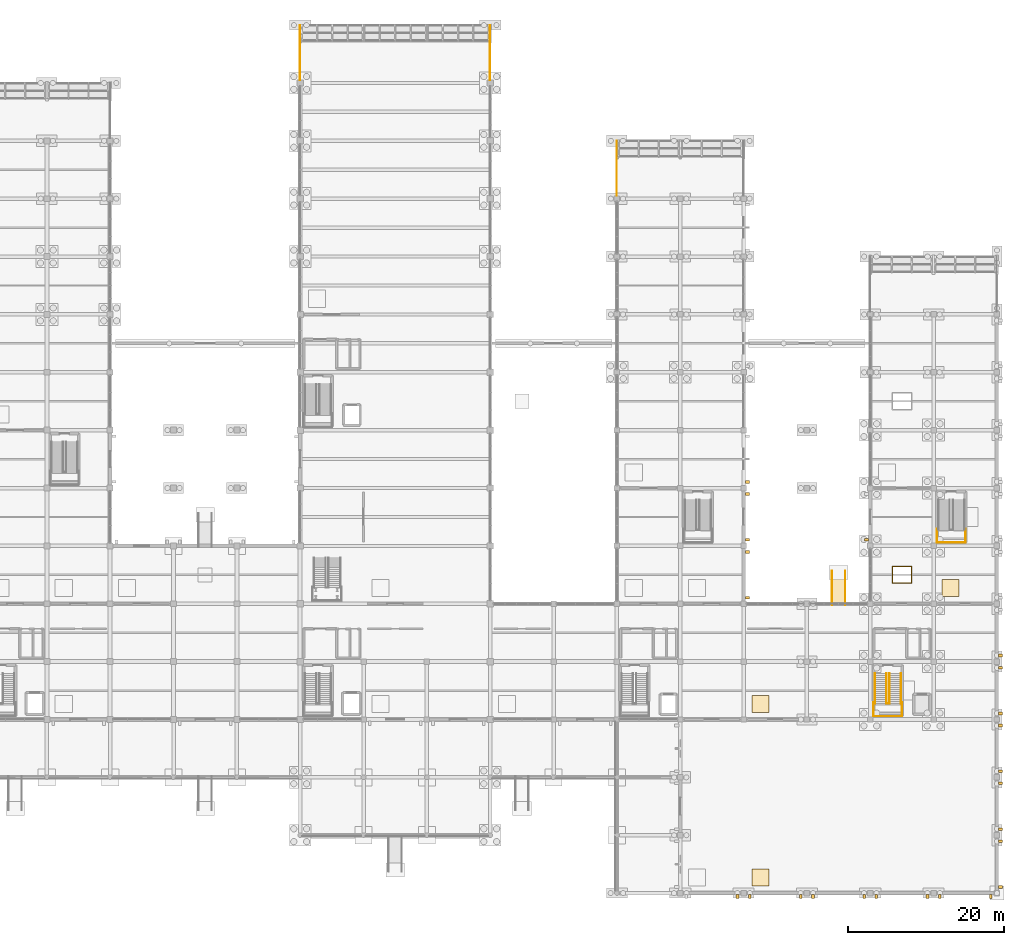
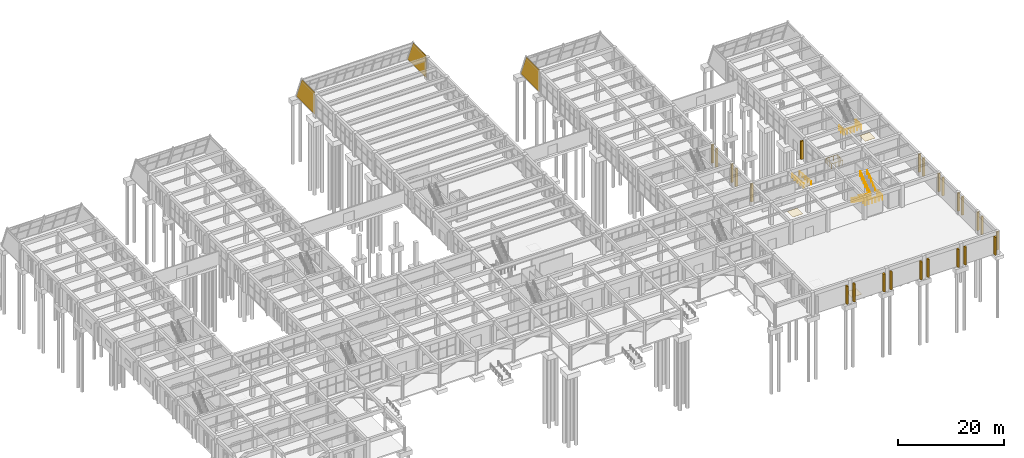
# One storey, part 138 of 140: 24 shading devices, 8 railings, 7 coverings.
"""IFC4 building model written with IfcOpenShell, lengths in metres."""

from ifc_helpers import new_model, si_unit, direction, frame, origin, origin_2d, place, context, subcontext, project, spatial, polyline, rectangle, circle, outline, extrude, material, layer, layer_set, type_object, element, save


model = new_model("IFC4")

# Units and contexts
model_context = context("Model", 3, precision=1e-05, world=origin(), true_north=direction((0.0, 1.0)))
body_context = subcontext(model_context, "Body", "Model", "MODEL_VIEW")
ifc_project = project(units=[si_unit("LENGTHUNIT", "METRE"), si_unit("AREAUNIT", "SQUARE_METRE"), si_unit("VOLUMEUNIT", "CUBIC_METRE"), si_unit("PLANEANGLEUNIT", "RADIAN"), si_unit("MASSUNIT", "GRAM", prefix="KILO")], contexts=[model_context])

# Site, building, storey
site_placement = place(None, origin())
site = spatial("IfcSite", under=ifc_project, at=site_placement, CompositionType="ELEMENT")
building_placement = place(site_placement, origin())
building = spatial("IfcBuilding", under=site, at=building_placement, Name="Cimatlan Art Gallery", CompositionType="ELEMENT")
storey_placement = place(building_placement, origin())
storey = spatial("IfcBuildingStorey", under=building, at=storey_placement, Name="L00", CompositionType="ELEMENT", Elevation=0.0)

# Coverings
ifc_material_1 = material(Name="Micro-perforated acoustic gypsum ceiling")
ifc_layer_1 = layer(ifc_material_1, 0.030029296875)
ifc_layer_set_1 = layer_set([ifc_layer_1], Name="Micro-perforated acoustic gypsum ceiling")
covering_type_1 = type_object("IfcCoveringType", Name="COV-CEIL-ACOUSTIC-30", PredefinedType="CEILING", material=ifc_layer_set_1)
for number, where, z_axis, x_axis, name in (
    (1, (133.75, 25.89990234375, 5.10498046875), (0.0, 0.0, 1.0), (1.0, 0.0, 0.0), "CLG-L00-LRN-02"),
    (2, (158.050048828125, 40.699951171875, 5.10498046875), (0.0, 0.0, 1.0), (1.0, 0.0, 0.0), "CLG-L00-STD-01B"),
):
    element("IfcCovering", number, at=place(storey_placement, frame(where, z_axis=z_axis, x_axis=x_axis)), inside=storey, type_object=covering_type_1, Name=name, PredefinedType="CEILING", context=body_context, shape_type="SweptSolid", body=[
        extrude(rectangle(XDim=2.199951171875, YDim=2.199951171875, at=origin_2d()), origin(), (0.0, 0.0, 1.0), 0.030029296875),
    ])
ifc_material_2 = material(Name="Queretaro cantera limestone ashlar hood-mould", Category="masonry")
ifc_layer_2 = layer(ifc_material_2, 0.0419921875)
ifc_layer_set_2 = layer_set([ifc_layer_2], Name="Queretaro cantera limestone ashlar hood-mould")
covering_type_2 = type_object("IfcCoveringType", Name="COV-CLAD-CANTERA-42", PredefinedType="CLADDING", material=ifc_layer_set_2)
for number, where, z_axis, x_axis, name in (
    (3, (74.89990234375, 105.64990234375, 0.0), (1.0, 0.0, 0.0), (0.0, 1.0, 0.0), "CLD-PRW-L00-B3-W"),
    (4, (99.199951171875, 105.64990234375, 0.0), (1.0, 0.0, 0.0), (0.0, 1.0, 0.0), "CLD-PRW-L00-B3-E"),
):
    element("IfcCovering", number, at=place(storey_placement, frame(where, z_axis=z_axis, x_axis=x_axis)), inside=storey, type_object=covering_type_2, Name=name, PredefinedType="CLADDING", context=body_context, shape_type="SweptSolid", body=[
        extrude(outline(polyline([(0.0, 0.0), (7.050048828125, 0.0), (4.923095703125, 5.135009765625), (0.0, 5.135009765625), (0.0, 0.0)])), origin(), (0.0, 0.0, -1.0), 0.0419921875),
    ])
covering_1_placement = place(storey_placement, frame((115.39990234375, 90.85009765625, 0.0), z_axis=(1.0, 0.0, 0.0), x_axis=(0.0, 1.0, 0.0)))
element("IfcCovering", 5, at=covering_1_placement, inside=storey, type_object=covering_type_2, Name="CLD-PRW-L00-B4-W", PredefinedType="CLADDING", context=body_context, shape_type="SweptSolid", body=[
    extrude(outline(polyline([(0.0, 0.0), (7.0498046875, 0.0), (4.9228515625, 5.135009765625), (0.0, 5.135009765625), (0.0, 0.0)])), origin(), (0.0, 0.0, -1.0), 0.0419921875),
])
covering_2_placement = place(storey_placement, frame((142.85009765625, 42.8798828125, -0.360107421875), z_axis=(0.0, 0.083073446101, 0.996543427329), x_axis=(0.0, -0.996543427329, 0.083073446101)))
element("IfcCovering", 6, at=covering_2_placement, inside=storey, type_object=covering_type_2, Name="COV-RMP-06-FL1", PredefinedType="CLADDING", context=body_context, shape_type="SweptSolid", body=[
    extrude(outline(polyline([(0.0, 0.0), (4.334807796914242, 0.0), (4.334807796914242, 1.7998046875), (0.0, 1.7998046875), (0.0, 0.0)])), origin(), (0.0, 0.0, -1.0), 0.02490234375),
])
ifc_material_3 = material(Name="Honed Queretaro limestone terrazzo flooring", Category="masonry")
ifc_layer_3 = layer(ifc_material_3, 0.02001953125)
ifc_layer_set_3 = layer_set([ifc_layer_3], Name="Honed Queretaro limestone terrazzo flooring")
covering_type_3 = type_object("IfcCoveringType", Name="COV-FLR-TERRAZZO-20", PredefinedType="FLOORING", material=ifc_layer_set_3)
covering_3_placement = place(storey_placement, frame((133.75, 3.699951171875, 0.0), z_axis=(0.0, 0.0, 1.0), x_axis=(1.0, 0.0, 0.0)))
element("IfcCovering", 7, at=covering_3_placement, inside=storey, type_object=covering_type_3, Name="FLR-L00-AUD-HAL", PredefinedType="FLOORING", context=body_context, shape_type="SweptSolid", body=[
    extrude(rectangle(XDim=2.199951171875, YDim=2.199951171875, at=origin_2d()), origin(), (0.0, 0.0, 1.0), 0.02001953125),
])

# Railings
ifc_material_4 = material(Name="Painted steel and bronze interior balustrade", Category="steel")
railing_type_1 = type_object("IfcRailingType", Name="RL-BAL-INT-1120", PredefinedType="BALUSTRADE", material=ifc_material_4)
railing_1_placement = place(storey_placement, frame((148.2099609375, 26.06494140625, 2.699951171875)))
element("IfcRailing", 8, at=railing_1_placement, inside=storey, type_object=railing_type_1, Name="STR-C5-L00-LGRD", PredefinedType="BALUSTRADE", context=body_context, shape_type="SweptSolid", body=[
    extrude(circle(Radius=0.02392578125, at=origin_2d()), frame((0.0, 0.0, 1.09619140625), z_axis=(0.0, -1.0, 0.0), x_axis=(1.0, 0.0, 0.0)), (0.0, 0.0, 1.0), 1.7548828125),
    extrude(circle(Radius=0.02392578125, at=origin_2d()), frame((0.0, -1.7548828125, 1.09619140625), z_axis=(1.0, 0.0, 0.0), x_axis=(0.0, 1.0, 0.0)), (0.0, 0.0, 1.0), 3.669921875),
    extrude(circle(Radius=0.02392578125, at=origin_2d()), frame((3.669921875, -1.7548828125, 1.09619140625), z_axis=(0.0, 1.0, 0.0), x_axis=(-1.0, 0.0, 0.0)), (0.0, 0.0, 1.0), 1.7548828125),
    extrude(circle(Radius=0.02001953125, at=origin_2d()), origin(), (0.0, 0.0, 1.0), 1.072021484375),
    extrude(circle(Radius=0.02001953125, at=origin_2d()), frame((0.0, -0.87744140625, 0.0)), (0.0, 0.0, 1.0), 1.072021484375),
    extrude(circle(Radius=0.02001953125, at=origin_2d()), frame((0.0, -1.7548828125, 0.0)), (0.0, 0.0, 1.0), 1.072021484375),
    extrude(circle(Radius=0.02001953125, at=origin_2d()), frame((0.73388671875, -1.7548828125, 0.0)), (0.0, 0.0, 1.0), 1.072021484375),
    extrude(circle(Radius=0.02001953125, at=origin_2d()), frame((1.468017578125, -1.7548828125, 0.0)), (0.0, 0.0, 1.0), 1.072021484375),
    extrude(circle(Radius=0.02001953125, at=origin_2d()), frame((2.201904296875, -1.7548828125, 0.0)), (0.0, 0.0, 1.0), 1.072021484375),
    extrude(circle(Radius=0.02001953125, at=origin_2d()), frame((2.93603515625, -1.7548828125, 0.0)), (0.0, 0.0, 1.0), 1.072021484375),
    extrude(circle(Radius=0.02001953125, at=origin_2d()), frame((3.669921875, -1.7548828125, 0.0)), (0.0, 0.0, 1.0), 1.072021484375),
    extrude(circle(Radius=0.02001953125, at=origin_2d()), frame((3.669921875, -0.87744140625, 0.0)), (0.0, 0.0, 1.0), 1.072021484375),
    extrude(circle(Radius=0.02001953125, at=origin_2d()), frame((3.669921875, 0.0, 0.0)), (0.0, 0.0, 1.0), 1.072021484375),
])
railing_2_placement = place(storey_placement, frame((149.8701171875, 29.780029296875, 0.0)))
element("IfcRailing", 9, at=railing_2_placement, inside=storey, type_object=railing_type_1, Name="STR-C5-L00-GRD", PredefinedType="BALUSTRADE", context=body_context, shape_type="SweptSolid", body=[
    extrude(circle(Radius=0.02392578125, at=origin_2d()), frame((0.0, 0.0, 1.09619140625), z_axis=(0.0, -0.816969308413, 0.5766811503), x_axis=(1.0, 0.0, 0.0)), (0.0, 0.0, 1.0), 4.681884765625),
    extrude(circle(Radius=0.02392578125, at=origin_2d()), frame((0.0, -3.824951171875, 3.7958984375), z_axis=(1.0, 0.0, 0.0), x_axis=(0.0, 1.0, 0.0)), (0.0, 0.0, 1.0), 0.39990234375),
    extrude(circle(Radius=0.02392578125, at=origin_2d()), frame((0.39990234375, -3.824951171875, 3.7958984375), z_axis=(0.0, 0.816969308413, 0.5766811503), x_axis=(-1.0, 0.0, 0.0)), (0.0, 0.0, 1.0), 4.681884765625),
    extrude(circle(Radius=0.02001953125, at=origin_2d()), origin(), (0.0, 0.0, 1.0), 1.072021484375),
    extrude(circle(Radius=0.02001953125, at=origin_2d()), frame((0.0, -0.637451171875, 0.449951171875)), (0.0, 0.0, 1.0), 1.072021484375),
    extrude(circle(Radius=0.02001953125, at=origin_2d()), frame((0.0, -1.27490234375, 0.89990234375)), (0.0, 0.0, 1.0), 1.072021484375),
    extrude(circle(Radius=0.02001953125, at=origin_2d()), frame((0.0, -1.91259765625, 1.35009765625)), (0.0, 0.0, 1.0), 1.072021484375),
    extrude(circle(Radius=0.02001953125, at=origin_2d()), frame((0.0, -2.550048828125, 1.800048828125)), (0.0, 0.0, 1.0), 1.072021484375),
    extrude(circle(Radius=0.02001953125, at=origin_2d()), frame((0.0, -3.1875, 2.25)), (0.0, 0.0, 1.0), 1.072021484375),
    extrude(circle(Radius=0.02001953125, at=origin_2d()), frame((0.0, -3.824951171875, 2.699951171875)), (0.0, 0.0, 1.0), 1.072021484375),
    extrude(circle(Radius=0.02001953125, at=origin_2d()), frame((0.39990234375, -3.824951171875, 2.699951171875)), (0.0, 0.0, 1.0), 1.072021484375),
    extrude(circle(Radius=0.02001953125, at=origin_2d()), frame((0.39990234375, -3.1875, 3.14990234375)), (0.0, 0.0, 1.0), 1.072021484375),
    extrude(circle(Radius=0.02001953125, at=origin_2d()), frame((0.39990234375, -2.550048828125, 3.599853515625)), (0.0, 0.0, 1.0), 1.072021484375),
    extrude(circle(Radius=0.02001953125, at=origin_2d()), frame((0.39990234375, -1.91259765625, 4.0498046875)), (0.0, 0.0, 1.0), 1.072021484375),
    extrude(circle(Radius=0.02001953125, at=origin_2d()), frame((0.39990234375, -1.27490234375, 4.5)), (0.0, 0.0, 1.0), 1.072021484375),
    extrude(circle(Radius=0.02001953125, at=origin_2d()), frame((0.39990234375, -0.637451171875, 4.949951171875)), (0.0, 0.0, 1.0), 1.072021484375),
    extrude(circle(Radius=0.02001953125, at=origin_2d()), frame((0.39990234375, 0.0, 5.39990234375)), (0.0, 0.0, 1.0), 1.072021484375),
])
railing_3_placement = place(storey_placement, frame((156.31005859375, 48.264892578125, 2.699951171875)))
element("IfcRailing", 10, at=railing_3_placement, inside=storey, type_object=railing_type_1, Name="STR-C10-L00-LGRD", PredefinedType="BALUSTRADE", context=body_context, shape_type="SweptSolid", body=[
    extrude(circle(Radius=0.02392578125, at=origin_2d()), frame((0.0, 0.0, 1.09619140625), z_axis=(0.0, -1.0, 0.0), x_axis=(1.0, 0.0, 0.0)), (0.0, 0.0, 1.0), 1.7548828125),
    extrude(circle(Radius=0.02392578125, at=origin_2d()), frame((0.0, -1.7548828125, 1.09619140625), z_axis=(1.0, 0.0, 0.0), x_axis=(0.0, 1.0, 0.0)), (0.0, 0.0, 1.0), 3.669921875),
    extrude(circle(Radius=0.02392578125, at=origin_2d()), frame((3.669921875, -1.7548828125, 1.09619140625), z_axis=(0.0, 1.0, 0.0), x_axis=(-1.0, 0.0, 0.0)), (0.0, 0.0, 1.0), 1.7548828125),
    extrude(circle(Radius=0.02001953125, at=origin_2d()), origin(), (0.0, 0.0, 1.0), 1.072021484375),
    extrude(circle(Radius=0.02001953125, at=origin_2d()), frame((0.0, -0.87744140625, 0.0)), (0.0, 0.0, 1.0), 1.072021484375),
    extrude(circle(Radius=0.02001953125, at=origin_2d()), frame((0.0, -1.7548828125, 0.0)), (0.0, 0.0, 1.0), 1.072021484375),
    extrude(circle(Radius=0.02001953125, at=origin_2d()), frame((0.73388671875, -1.7548828125, 0.0)), (0.0, 0.0, 1.0), 1.072021484375),
    extrude(circle(Radius=0.02001953125, at=origin_2d()), frame((1.468017578125, -1.7548828125, 0.0)), (0.0, 0.0, 1.0), 1.072021484375),
    extrude(circle(Radius=0.02001953125, at=origin_2d()), frame((2.201904296875, -1.7548828125, 0.0)), (0.0, 0.0, 1.0), 1.072021484375),
    extrude(circle(Radius=0.02001953125, at=origin_2d()), frame((2.93603515625, -1.7548828125, 0.0)), (0.0, 0.0, 1.0), 1.072021484375),
    extrude(circle(Radius=0.02001953125, at=origin_2d()), frame((3.669921875, -1.7548828125, 0.0)), (0.0, 0.0, 1.0), 1.072021484375),
    extrude(circle(Radius=0.02001953125, at=origin_2d()), frame((3.669921875, -0.87744140625, 0.0)), (0.0, 0.0, 1.0), 1.072021484375),
    extrude(circle(Radius=0.02001953125, at=origin_2d()), frame((3.669921875, 0.0, 0.0)), (0.0, 0.0, 1.0), 1.072021484375),
])
railing_4_placement = place(storey_placement, frame((150.639892578125, 41.340087890625, 0.0)))
element("IfcRailing", 11, at=railing_4_placement, inside=storey, type_object=railing_type_1, Name="GR-OCU-L00-B5S", PredefinedType="BALUSTRADE", context=body_context, shape_type="SweptSolid", body=[
    extrude(circle(Radius=0.02392578125, at=origin_2d()), frame((0.0, 0.0, 1.09619140625), z_axis=(1.0, 0.0, 0.0), x_axis=(0.0, 1.0, 0.0)), (0.0, 0.0, 1.0), 2.420166015625),
    extrude(circle(Radius=0.02392578125, at=origin_2d()), frame((2.420166015625, 0.0, 1.09619140625), z_axis=(0.0, 1.0, 0.0), x_axis=(-1.0, 0.0, 0.0)), (0.0, 0.0, 1.0), 2.119873046875),
    extrude(circle(Radius=0.02392578125, at=origin_2d()), frame((2.420166015625, 2.119873046875, 1.09619140625), z_axis=(-1.0, 0.0, 0.0), x_axis=(0.0, -1.0, 0.0)), (0.0, 0.0, 1.0), 2.420166015625),
    extrude(circle(Radius=0.02392578125, at=origin_2d()), frame((0.0, 2.119873046875, 1.09619140625), z_axis=(0.0, -1.0, 0.0), x_axis=(1.0, 0.0, 0.0)), (0.0, 0.0, 1.0), 2.080078125),
    extrude(circle(Radius=0.02001953125, at=origin_2d()), origin(), (0.0, 0.0, 1.0), 1.072021484375),
    extrude(circle(Radius=0.02001953125, at=origin_2d()), frame((0.806640625, 0.0, 0.0)), (0.0, 0.0, 1.0), 1.072021484375),
    extrude(circle(Radius=0.02001953125, at=origin_2d()), frame((1.613525390625, 0.0, 0.0)), (0.0, 0.0, 1.0), 1.072021484375),
    extrude(circle(Radius=0.02001953125, at=origin_2d()), frame((2.420166015625, 0.0, 0.0)), (0.0, 0.0, 1.0), 1.072021484375),
    extrude(circle(Radius=0.02001953125, at=origin_2d()), frame((2.420166015625, 0.70654296875, 0.0)), (0.0, 0.0, 1.0), 1.072021484375),
    extrude(circle(Radius=0.02001953125, at=origin_2d()), frame((2.420166015625, 1.413330078125, 0.0)), (0.0, 0.0, 1.0), 1.072021484375),
    extrude(circle(Radius=0.02001953125, at=origin_2d()), frame((2.420166015625, 2.119873046875, 0.0)), (0.0, 0.0, 1.0), 1.072021484375),
    extrude(circle(Radius=0.02001953125, at=origin_2d()), frame((1.613525390625, 2.119873046875, 0.0)), (0.0, 0.0, 1.0), 1.072021484375),
    extrude(circle(Radius=0.02001953125, at=origin_2d()), frame((0.806640625, 2.119873046875, 0.0)), (0.0, 0.0, 1.0), 1.072021484375),
    extrude(circle(Radius=0.02001953125, at=origin_2d()), frame((0.0, 2.119873046875, 0.0)), (0.0, 0.0, 1.0), 1.072021484375),
    extrude(circle(Radius=0.02001953125, at=origin_2d()), frame((0.0, 1.426513671875, 0.0)), (0.0, 0.0, 1.0), 1.072021484375),
    extrude(circle(Radius=0.02001953125, at=origin_2d()), frame((0.0, 0.733154296875, 0.0)), (0.0, 0.0, 1.0), 1.072021484375),
    extrude(circle(Radius=0.02001953125, at=origin_2d()), frame((0.0, 0.039794921875, 0.0)), (0.0, 0.0, 1.0), 1.072021484375),
])
ifc_material_5 = material(Name="Brushed bronze handrail")
railing_type_2 = type_object("IfcRailingType", Name="RL-HND-EXT-920", PredefinedType="HANDRAIL", material=ifc_material_5)
for number, where, name in (
    (12, (142.909912109375, 42.8798828125, -0.360107421875), "RMP-06-HR-L"),
    (13, (144.590087890625, 42.8798828125, -0.360107421875), "RMP-06-HR-R"),
):
    element("IfcRailing", number, at=place(storey_placement, frame(where)), inside=storey, type_object=railing_type_2, Name=name, PredefinedType="HANDRAIL", context=body_context, shape_type="SweptSolid", body=[
        extrude(circle(Radius=0.02197265625, at=origin_2d()), frame((0.0, 0.0, 0.89794921875), z_axis=(0.0, -0.996543427329, 0.083073446101), x_axis=(1.0, 0.0, 0.0)), (0.0, 0.0, 1.0), 4.334716796875),
        extrude(circle(Radius=0.01904296875, at=origin_2d()), origin(), (0.0, 0.0, 1.0), 0.8759765625),
        extrude(circle(Radius=0.01904296875, at=origin_2d()), frame((0.0, -1.080078125, 0.090087890625)), (0.0, 0.0, 1.0), 0.8759765625),
        extrude(circle(Radius=0.01904296875, at=origin_2d()), frame((0.0, -2.159912109375, 0.18017578125)), (0.0, 0.0, 1.0), 0.8759765625),
        extrude(circle(Radius=0.01904296875, at=origin_2d()), frame((0.0, -3.23974609375, 0.27001953125)), (0.0, 0.0, 1.0), 0.8759765625),
        extrude(circle(Radius=0.01904296875, at=origin_2d()), frame((0.0, -4.31982421875, 0.360107421875)), (0.0, 0.0, 1.0), 0.8759765625),
    ])
ifc_material_6 = material(Name="Brushed bronze stair handrail")
railing_type_3 = type_object("IfcRailingType", Name="RL-HND-INT-920", PredefinedType="HANDRAIL", material=ifc_material_6)
railing_5_placement = place(storey_placement, frame((148.409912109375, 29.780029296875, 0.0)))
element("IfcRailing", 14, at=railing_5_placement, inside=storey, type_object=railing_type_3, Name="STR-C5-L00-HR1", PredefinedType="HANDRAIL", context=body_context, shape_type="SweptSolid", body=[
    extrude(circle(Radius=0.02197265625, at=origin_2d()), frame((0.0, 0.0, 0.89794921875), z_axis=(0.0, -0.816969308413, 0.5766811503), x_axis=(1.0, 0.0, 0.0)), (0.0, 0.0, 1.0), 4.681884765625),
    extrude(circle(Radius=0.01904296875, at=origin_2d()), origin(), (0.0, 0.0, 1.0), 0.8759765625),
    extrude(circle(Radius=0.01904296875, at=origin_2d()), frame((0.0, -0.764892578125, 0.5400390625)), (0.0, 0.0, 1.0), 0.8759765625),
    extrude(circle(Radius=0.01904296875, at=origin_2d()), frame((0.0, -1.530029296875, 1.080078125)), (0.0, 0.0, 1.0), 0.8759765625),
    extrude(circle(Radius=0.01904296875, at=origin_2d()), frame((0.0, -2.294921875, 1.619873046875)), (0.0, 0.0, 1.0), 0.8759765625),
    extrude(circle(Radius=0.01904296875, at=origin_2d()), frame((0.0, -3.06005859375, 2.159912109375)), (0.0, 0.0, 1.0), 0.8759765625),
    extrude(circle(Radius=0.01904296875, at=origin_2d()), frame((0.0, -3.824951171875, 2.699951171875)), (0.0, 0.0, 1.0), 0.8759765625),
])
railing_6_placement = place(storey_placement, frame((151.72998046875, 25.955078125, 2.699951171875)))
element("IfcRailing", 15, at=railing_6_placement, inside=storey, type_object=railing_type_3, Name="STR-C5-L00-HR2", PredefinedType="HANDRAIL", context=body_context, shape_type="SweptSolid", body=[
    extrude(circle(Radius=0.02197265625, at=origin_2d()), frame((0.0, 0.0, 0.89794921875), z_axis=(0.0, 0.816969308413, 0.5766811503), x_axis=(-1.0, 0.0, 0.0)), (0.0, 0.0, 1.0), 4.681884765625),
    extrude(circle(Radius=0.01904296875, at=origin_2d()), origin(), (0.0, 0.0, 1.0), 0.8759765625),
    extrude(circle(Radius=0.01904296875, at=origin_2d()), frame((0.0, 0.764892578125, 0.5400390625)), (0.0, 0.0, 1.0), 0.8759765625),
    extrude(circle(Radius=0.01904296875, at=origin_2d()), frame((0.0, 1.530029296875, 1.080078125)), (0.0, 0.0, 1.0), 0.8759765625),
    extrude(circle(Radius=0.01904296875, at=origin_2d()), frame((0.0, 2.294921875, 1.619873046875)), (0.0, 0.0, 1.0), 0.8759765625),
    extrude(circle(Radius=0.01904296875, at=origin_2d()), frame((0.0, 3.06005859375, 2.159912109375)), (0.0, 0.0, 1.0), 0.8759765625),
    extrude(circle(Radius=0.01904296875, at=origin_2d()), frame((0.0, 3.824951171875, 2.699951171875)), (0.0, 0.0, 1.0), 0.8759765625),
])

# Shading devices
ifc_material_7 = material(Name="Queretaro cantera limestone buttress pilaster", Category="masonry")
shading_device_type = type_object("IfcShadingDeviceType", Name="SHD-BUT-520", PredefinedType="USERDEFINED", material=ifc_material_7)
for number, where, z_axis, x_axis, name in (
    (16, (130.825927734375, 1.24951171875, 0.06005859375), (0.0, 0.0, 1.0), (-1.0, 0.0, 0.0), "BUT-0073"),
    (17, (132.077880859375, 45.325927734375, 0.06005859375), (0.0, 0.0, 1.0), (0.0, -1.0, 0.0), "BUT-0081"),
    (18, (132.077880859375, 39.47412109375, 0.06005859375), (0.0, 0.0, 1.0), (0.0, -1.0, 0.0), "BUT-0082"),
):
    element("IfcShadingDevice", number, at=place(storey_placement, frame(where, z_axis=z_axis, x_axis=x_axis)), inside=storey, type_object=shading_device_type, Name=name, ObjectType="FIN", PredefinedType="USERDEFINED", context=body_context, shape_type="SweptSolid", body=[
        extrude(rectangle(XDim=0.340087890625, YDim=0.52001953125, at=origin_2d()), origin(), (0.0, 0.0, 1.0), 4.14990234375),
    ])
for number, where, z_axis, x_axis, name in (
    (19, (132.077880859375, 52.72607421875, 0.06005859375), (0.0, 0.0, 1.0), (0.0, -1.0, 0.0), "BUT-0083"),
    (20, (132.077880859375, 46.8740234375, 0.06005859375), (0.0, 0.0, 1.0), (0.0, -1.0, 0.0), "BUT-0084"),
    (21, (132.077880859375, 54.27392578125, 0.06005859375), (0.0, 0.0, 1.0), (0.0, -1.0, 0.0), "BUT-0086"),
):
    element("IfcShadingDevice", number, at=place(storey_placement, frame(where, z_axis=z_axis, x_axis=x_axis)), inside=storey, type_object=shading_device_type, Name=name, ObjectType="FIN", PredefinedType="USERDEFINED", context=body_context, shape_type="SweptSolid", body=[
        extrude(rectangle(XDim=0.340087890625, YDim=0.52001953125, at=origin_2d()), origin(), (0.0, 0.0, 1.0), 4.199951171875),
    ])
for number, where, z_axis, x_axis, name in (
    (22, (138.926025390625, 1.24951171875, 0.06005859375), (0.0, 0.0, 1.0), (-1.0, 0.0, 0.0), "BUT-0091"),
    (23, (132.3740234375, 1.24951171875, 0.06005859375), (0.0, 0.0, 1.0), (-1.0, 0.0, 0.0), "BUT-0092"),
    (24, (147.02587890625, 1.24951171875, 0.06005859375), (0.0, 0.0, 1.0), (-1.0, 0.0, 0.0), "BUT-0093"),
    (25, (140.47412109375, 1.24951171875, 0.06005859375), (0.0, 0.0, 1.0), (-1.0, 0.0, 0.0), "BUT-0094"),
    (26, (155.1259765625, 1.24951171875, 0.06005859375), (0.0, 0.0, 1.0), (-1.0, 0.0, 0.0), "BUT-0095"),
    (27, (148.573974609375, 1.24951171875, 0.06005859375), (0.0, 0.0, 1.0), (-1.0, 0.0, 0.0), "BUT-0096"),
):
    element("IfcShadingDevice", number, at=place(storey_placement, frame(where, z_axis=z_axis, x_axis=x_axis)), inside=storey, type_object=shading_device_type, Name=name, ObjectType="FIN", PredefinedType="USERDEFINED", context=body_context, shape_type="SweptSolid", body=[
        extrude(rectangle(XDim=0.340087890625, YDim=0.52001953125, at=origin_2d()), origin(), (0.0, 0.0, 1.0), 4.14990234375),
    ])
shading_device_placement = place(storey_placement, frame((147.322021484375, 46.8740234375, 0.06005859375), z_axis=(0.0, 0.0, 1.0), x_axis=(0.0, 1.0, 0.0)))
element("IfcShadingDevice", 28, at=shading_device_placement, inside=storey, type_object=shading_device_type, Name="BUT-0097", ObjectType="FIN", PredefinedType="USERDEFINED", context=body_context, shape_type="SweptSolid", body=[
    extrude(rectangle(XDim=0.340087890625, YDim=0.52001953125, at=origin_2d()), origin(), (0.0, 0.0, 1.0), 4.199951171875),
])
for number, where, z_axis, x_axis, name in (
    (29, (163.22607421875, 1.24951171875, 0.06005859375), (0.0, 0.0, 1.0), (-1.0, 0.0, 0.0), "BUT-0099"),
    (30, (156.674072265625, 1.24951171875, 0.06005859375), (0.0, 0.0, 1.0), (-1.0, 0.0, 0.0), "BUT-0100"),
    (31, (164.450439453125, 8.325927734375, 0.06005859375), (0.0, 0.0, 1.0), (0.0, -1.0, 0.0), "BUT-0101"),
    (32, (164.450439453125, 2.47412109375, 0.06005859375), (0.0, 0.0, 1.0), (0.0, -1.0, 0.0), "BUT-0102"),
):
    element("IfcShadingDevice", number, at=place(storey_placement, frame(where, z_axis=z_axis, x_axis=x_axis)), inside=storey, type_object=shading_device_type, Name=name, ObjectType="FIN", PredefinedType="USERDEFINED", context=body_context, shape_type="SweptSolid", body=[
        extrude(rectangle(XDim=0.340087890625, YDim=0.52001953125, at=origin_2d()), origin(), (0.0, 0.0, 1.0), 4.14990234375),
    ])
for number, where, z_axis, x_axis, name in (
    (33, (164.450439453125, 15.72607421875, 0.06005859375), (0.0, 0.0, 1.0), (0.0, -1.0, 0.0), "BUT-0103"),
    (34, (164.450439453125, 9.8740234375, 0.06005859375), (0.0, 0.0, 1.0), (0.0, -1.0, 0.0), "BUT-0104"),
):
    element("IfcShadingDevice", number, at=place(storey_placement, frame(where, z_axis=z_axis, x_axis=x_axis)), inside=storey, type_object=shading_device_type, Name=name, ObjectType="FIN", PredefinedType="USERDEFINED", context=body_context, shape_type="SweptSolid", body=[
        extrude(rectangle(XDim=0.340087890625, YDim=0.52001953125, at=origin_2d()), origin(), (0.0, 0.0, 1.0), 4.199951171875),
    ])
for number, where, z_axis, x_axis, name in (
    (35, (164.450439453125, 23.1259765625, 0.06005859375), (0.0, 0.0, 1.0), (0.0, -1.0, 0.0), "BUT-0105"),
    (36, (164.450439453125, 17.27392578125, 0.06005859375), (0.0, 0.0, 1.0), (0.0, -1.0, 0.0), "BUT-0106"),
    (37, (164.47802734375, 30.52587890625, 0.06005859375), (0.0, 0.0, 1.0), (0.0, -1.0, 0.0), "BUT-0107"),
    (38, (164.47802734375, 24.674072265625, 0.06005859375), (0.0, 0.0, 1.0), (0.0, -1.0, 0.0), "BUT-0108"),
    (39, (164.47802734375, 32.073974609375, 0.06005859375), (0.0, 0.0, 1.0), (0.0, -1.0, 0.0), "BUT-0110"),
):
    element("IfcShadingDevice", number, at=place(storey_placement, frame(where, z_axis=z_axis, x_axis=x_axis)), inside=storey, type_object=shading_device_type, Name=name, ObjectType="FIN", PredefinedType="USERDEFINED", context=body_context, shape_type="SweptSolid", body=[
        extrude(rectangle(XDim=0.340087890625, YDim=0.52001953125, at=origin_2d()), origin(), (0.0, 0.0, 1.0), 4.14990234375),
    ])

save(model, "model.ifc")
